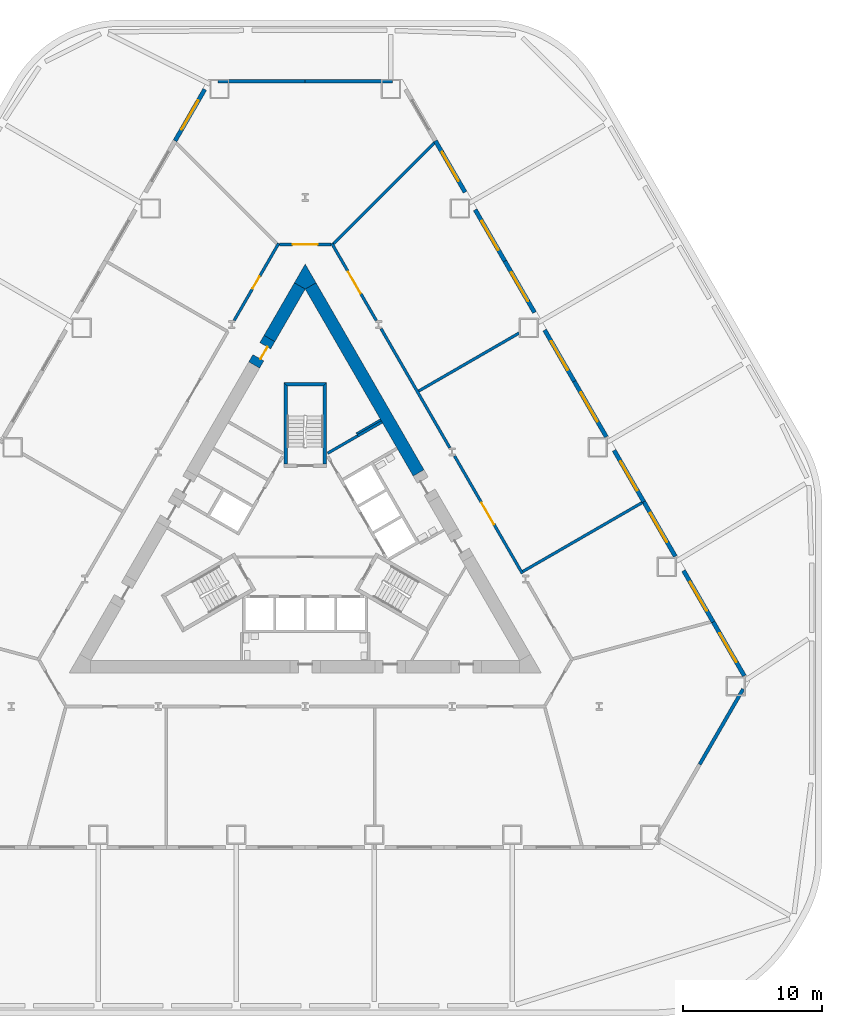
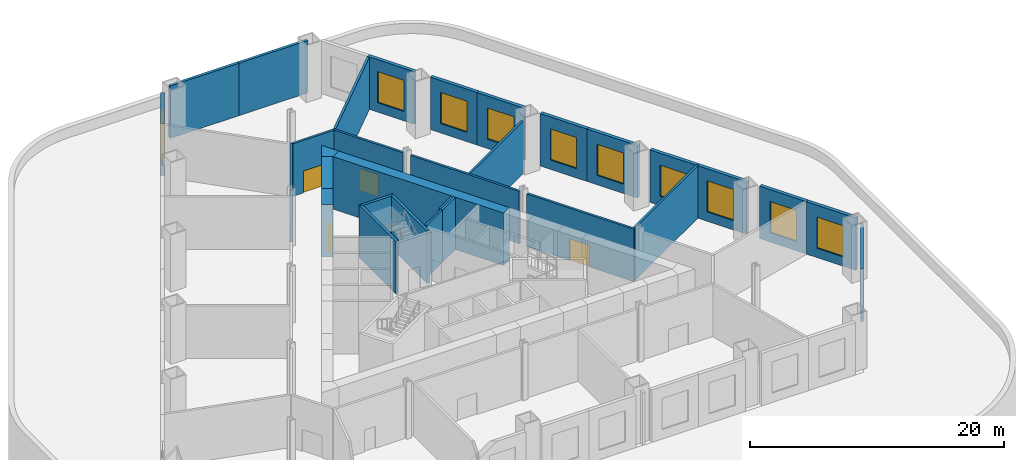
# One storey, part 6 of 10: 31 walls, 10 windows, 5 doors, 15 openings.
"""IFC4 building model written with IfcOpenShell, lengths in metres."""

from ifc_helpers import new_model, si_unit, direction, frame, frame_2d, origin, place, context, subcontext, project, spatial, polyline, rectangle, outline, extrude, material, layer, layer_set, type_object, element, fill, save


model = new_model("IFC4")

# Units and contexts
model_context = context("Model", 3, precision=1e-05, world=origin(), true_north=direction((0.0, 1.0)))
body_context = subcontext(model_context, "Body", "Model", "MODEL_VIEW")
ifc_project = project(units=[si_unit("LENGTHUNIT", "METRE"), si_unit("AREAUNIT", "SQUARE_METRE"), si_unit("VOLUMEUNIT", "CUBIC_METRE"), si_unit("PLANEANGLEUNIT", "RADIAN"), si_unit("MASSUNIT", "GRAM", prefix="KILO")], contexts=[model_context])

# Site, building, storey
site_placement = place(None, origin())
site = spatial("IfcSite", under=ifc_project, at=site_placement, CompositionType="ELEMENT")
building_placement = place(site_placement, origin())
building = spatial("IfcBuilding", under=site, at=building_placement, Name="Cormorant Prow Tower", CompositionType="ELEMENT")
storey_placement = place(building_placement, frame((0.0, 0.0, 10.0)))
storey = spatial("IfcBuildingStorey", under=building, at=storey_placement, Name="L01", CompositionType="ELEMENT", Elevation=10.0)

# Walls
ifc_material_1 = material(Name="Gypsum board partition")
ifc_layer_1 = layer(ifc_material_1, 0.14990234375)
ifc_layer_set_1 = layer_set([ifc_layer_1], Name="Gypsum board partition")
wall_type_1 = type_object("IfcWallType", Name="Core partition 150", PredefinedType="PARTITIONING", material=ifc_layer_set_1)
wall_1_placement = place(storey_placement, frame((3.693359375, 7.4150390625, 0.0), z_axis=(0.0, 0.0, 1.0), x_axis=(0.866035824272, 0.499981950752, 0.0)))
element("IfcWall", 1, at=wall_1_placement, inside=storey, type_object=wall_type_1, Name="Service room partition", PredefinedType="PARTITIONING", context=body_context, shape_type="SweptSolid", body=[
    extrude(rectangle(XDim=2.0087890625, YDim=0.14990234375, at=frame_2d((1.00439453125, 0.0))), origin(), (0.0, 0.0, 1.0), 5.050048828125),
])
ifc_material_2 = material(Name="Concrete 8000 psi", Category="concrete")
ifc_layer_2 = layer(ifc_material_2, 0.89990234375)
ifc_layer_set_2 = layer_set([ifc_layer_2], Name="Concrete 8000 psi")
wall_type_2 = type_object("IfcWallType", Name="Core shear wall 900", PredefinedType="SHEAR", material=ifc_layer_set_2)
wall_2_placement = place(storey_placement, frame((8.160400390625, 4.595947265625, 0.0), z_axis=(0.0, 0.0, 1.0), x_axis=(-0.500009830349, 0.866019728156, 0.0)))
element("IfcWall", 2, at=wall_2_placement, inside=storey, type_object=wall_type_2, Name="Core wall", PredefinedType="SHEAR", context=body_context, shape_type="SweptSolid", body=[
    extrude(rectangle(XDim=15.541259765625, YDim=0.89990234375, at=frame_2d((7.7705078125, 0.0))), origin(), (0.0, 0.0, 1.0), 5.050048828125),
])
wall_3_placement = place(storey_placement, frame((-0.3896484375, 18.054931640625, 0.0), z_axis=(0.0, 0.0, 1.0), x_axis=(-0.500014193307, -0.86601720912, 0.0)))
element("IfcWall", 3, at=wall_3_placement, inside=storey, type_object=wall_type_2, Name="Core wall", PredefinedType="SHEAR", context=body_context, shape_type="SweptSolid", body=[
    extrude(rectangle(XDim=4.370361328125, YDim=0.89990234375, at=frame_2d((2.18505859375, 0.0))), origin(), (0.0, 0.0, 1.0), 5.050048828125),
])
wall_4_placement = place(storey_placement, origin())
element("IfcWall", 4, at=wall_4_placement, inside=storey, type_object=wall_type_2, Name="Core wall corner", PredefinedType="SHEAR", context=body_context, shape_type="SweptSolid", body=[
    extrude(outline(polyline([(-0.779296875, 18.27978515625), (0.0, 19.6298828125), (0.779296875, 18.27978515625), (0.0, 17.829833984375), (-0.779296875, 18.27978515625)])), origin(), (0.0, 0.0, 1.0), 5.050048828125),
])

# Wall, opening, door
wall_5_placement = place(storey_placement, frame((-2.574951171875, 14.27001953125, 0.0), z_axis=(0.0, 0.0, 1.0), x_axis=(-0.499981787252, -0.866035918664, 0.0)))
wall_5 = element("IfcWall", 5, at=wall_5_placement, inside=storey, type_object=wall_type_2, Name="Core wall door panel", PredefinedType="SHEAR", context=body_context, shape_type="SweptSolid", body=[
    extrude(rectangle(XDim=2.2001953125, YDim=0.89990234375, at=frame_2d((1.10009765625, 0.0))), origin(), (0.0, 0.0, 1.0), 5.050048828125),
])
opening_1_placement = place(wall_5_placement, frame((0.60009765625, 0.0, 0.0)))
opening_1 = element("IfcOpeningElement", 6, at=opening_1_placement, cuts=wall_5, Name="Opening L01-C20", PredefinedType="OPENING", context=body_context, shape_type="SweptSolid", body=[
    extrude(rectangle(XDim=1.0, YDim=2.10009765625, at=frame_2d((0.5, 1.050048828125))), frame((0.0, 0.4599609375, 0.0), z_axis=(0.0, -1.0, 0.0), x_axis=(1.0, 0.0, 0.0)), (0.0, 0.0, 1.0), 0.919921875),
])
ifc_material_3 = material(Name="Painted steel", Category="steel")
door_type_1 = type_object("IfcDoorType", Name="Service door 1000x2100", OperationType="NOTDEFINED", PredefinedType="DOOR", material=ifc_material_3)
door_1_placement = place(opening_1_placement, origin())
door_1 = element("IfcDoor", 7, at=door_1_placement, inside=storey, type_object=door_type_1, Name="Core door, Telecom room", OperationType="SINGLE_SWING_LEFT", OverallHeight=2.10009765625, OverallWidth=1.0, PredefinedType="DOOR", context=body_context, shape_type="SweptSolid", body=[
    extrude(rectangle(XDim=1.0, YDim=2.10009765625, at=frame_2d((0.5, 1.050048828125))), frame((0.0, 0.205078125, 0.0), z_axis=(0.0, -1.0, 0.0), x_axis=(1.0, 0.0, 0.0)), (0.0, 0.0, 1.0), 0.050048828125),
])
fill(opening_1, door_1)

# Wall
ifc_material_4 = material(Name="Gypsum board corridor wall")
ifc_layer_3 = layer(ifc_material_4, 0.199951171875)
ifc_layer_set_3 = layer_set([ifc_layer_3], Name="Gypsum board corridor wall")
wall_type_3 = type_object("IfcWallType", Name="Corridor wall 200", PredefinedType="PARTITIONING", material=ifc_layer_set_3)
wall_6_placement = place(storey_placement, frame((5.45947265625, 14.973876953125, 0.0), z_axis=(0.0, 0.0, 1.0), x_axis=(0.499985793049, -0.866033606016, 0.0)))
element("IfcWall", 8, at=wall_6_placement, inside=storey, type_object=wall_type_3, Name="Corridor wall", PredefinedType="PARTITIONING", context=body_context, shape_type="SweptSolid", body=[
    extrude(rectangle(XDim=9.897705078125, YDim=0.199951171875, at=frame_2d((4.94873046875, 0.0))), origin(), (0.0, 0.0, 1.0), 5.050048828125),
])

# Wall, opening, door
wall_7_placement = place(storey_placement, frame((10.74853515625, 5.812744140625, 0.0), z_axis=(0.0, 0.0, 1.0), x_axis=(0.500017363087, -0.866015378969, 0.0)))
wall_7 = element("IfcWall", 9, at=wall_7_placement, inside=storey, type_object=wall_type_3, Name="Corridor wall", PredefinedType="PARTITIONING", context=body_context, shape_type="SweptSolid", body=[
    extrude(rectangle(XDim=9.769775390625, YDim=0.199951171875, at=frame_2d((4.884765625, 0.0))), origin(), (0.0, 0.0, 1.0), 5.050048828125),
])
opening_2_placement = place(wall_7_placement, frame((3.8837890625, 0.0, 0.0)))
opening_2 = element("IfcOpeningElement", 10, at=opening_2_placement, cuts=wall_7, Name="Opening L01-F06", PredefinedType="OPENING", context=body_context, shape_type="SweptSolid", body=[
    extrude(rectangle(XDim=1.800048828125, YDim=2.10009765625, at=frame_2d((0.89990234375, 1.050048828125))), frame((0.0, 0.10986328125, 0.0), z_axis=(0.0, -1.0, 0.0), x_axis=(1.0, 0.0, 0.0)), (0.0, 0.0, 1.0), 0.219970703125),
])
ifc_material_5 = material(Name="Timber door leaf", Category="wood")
door_type_2 = type_object("IfcDoorType", Name="Double door 1800x2100", OperationType="DOUBLE_DOOR_SINGLE_SWING", PredefinedType="DOOR", material=ifc_material_5)
door_2_placement = place(opening_2_placement, origin())
door_2 = element("IfcDoor", 11, at=door_2_placement, inside=storey, type_object=door_type_2, Name="Pharmacy door", OperationType="DOUBLE_DOOR_SINGLE_SWING", OverallHeight=2.10009765625, OverallWidth=1.800048828125, PredefinedType="DOOR", context=body_context, shape_type="SweptSolid", body=[
    extrude(rectangle(XDim=1.800048828125, YDim=2.10009765625, at=frame_2d((0.89990234375, 1.050048828125))), frame((0.0, 0.02490234375, 0.0), z_axis=(0.0, -1.0, 0.0), x_axis=(1.0, 0.0, 0.0)), (0.0, 0.0, 1.0), 0.050048828125),
])
fill(opening_2, door_2)

wall_8_placement = place(storey_placement, frame((1.9130859375, 21.116455078125, 0.0), z_axis=(0.0, 0.0, 1.0), x_axis=(0.500004801114, -0.866022631842, 0.0)))
wall_8 = element("IfcWall", 12, at=wall_8_placement, inside=storey, type_object=wall_type_3, Name="Corridor wall", PredefinedType="PARTITIONING", context=body_context, shape_type="SweptSolid", body=[
    extrude(rectangle(XDim=6.412109375, YDim=0.199951171875, at=frame_2d((3.2060546875, 0.0))), origin(), (0.0, 0.0, 1.0), 5.050048828125),
])
opening_3_placement = place(wall_8_placement, frame((2.356201171875, 0.0, 0.0)))
opening_3 = element("IfcOpeningElement", 13, at=opening_3_placement, cuts=wall_8, Name="Opening L01-F01", PredefinedType="OPENING", context=body_context, shape_type="SweptSolid", body=[
    extrude(rectangle(XDim=1.800048828125, YDim=2.10009765625, at=frame_2d((0.89990234375, 1.050048828125))), frame((0.0, 0.10986328125, 0.0), z_axis=(0.0, -1.0, 0.0), x_axis=(1.0, 0.0, 0.0)), (0.0, 0.0, 1.0), 0.219970703125),
])
door_3_placement = place(opening_3_placement, origin())
door_3 = element("IfcDoor", 14, at=door_3_placement, inside=storey, type_object=door_type_2, Name="Retail unit door", OperationType="DOUBLE_DOOR_SINGLE_SWING", OverallHeight=2.10009765625, OverallWidth=1.800048828125, PredefinedType="DOOR", context=body_context, shape_type="SweptSolid", body=[
    extrude(rectangle(XDim=1.800048828125, YDim=2.10009765625, at=frame_2d((0.89990234375, 1.050048828125))), frame((0.0, 0.02490234375, 0.0), z_axis=(0.0, -1.0, 0.0), x_axis=(1.0, 0.0, 0.0)), (0.0, 0.0, 1.0), 0.050048828125),
])
fill(opening_3, door_3)

wall_9_placement = place(storey_placement, frame((-5.119140625, 15.5634765625, 0.0), z_axis=(0.0, 0.0, 1.0), x_axis=(0.500004801114, 0.866022631842, 0.0)))
wall_9 = element("IfcWall", 15, at=wall_9_placement, inside=storey, type_object=wall_type_3, Name="Corridor wall", PredefinedType="PARTITIONING", context=body_context, shape_type="SweptSolid", body=[
    extrude(rectangle(XDim=6.412109375, YDim=0.199951171875, at=frame_2d((3.2060546875, 0.0))), origin(), (0.0, 0.0, 1.0), 5.050048828125),
])
opening_4_placement = place(wall_9_placement, frame((2.656005859375, 0.0, 0.0)))
opening_4 = element("IfcOpeningElement", 16, at=opening_4_placement, cuts=wall_9, Name="Opening L01-F03", PredefinedType="OPENING", context=body_context, shape_type="SweptSolid", body=[
    extrude(rectangle(XDim=1.0, YDim=2.10009765625, at=frame_2d((0.5, 1.050048828125))), frame((0.0, 0.10986328125, 0.0), z_axis=(0.0, -1.0, 0.0), x_axis=(1.0, 0.0, 0.0)), (0.0, 0.0, 1.0), 0.219970703125),
])
ifc_material_6 = material(Name="Timber door leaf", Category="wood")
door_type_3 = type_object("IfcDoorType", Name="Flat or room entrance door 1000x2100", OperationType="NOTDEFINED", PredefinedType="DOOR", material=ifc_material_6)
door_4_placement = place(opening_4_placement, origin())
door_4 = element("IfcDoor", 17, at=door_4_placement, inside=storey, type_object=door_type_3, Name="Tower lobby gallery door", OperationType="SINGLE_SWING_LEFT", OverallHeight=2.10009765625, OverallWidth=1.0, PredefinedType="DOOR", context=body_context, shape_type="SweptSolid", body=[
    extrude(rectangle(XDim=1.0, YDim=2.10009765625, at=frame_2d((0.5, 1.050048828125))), frame((0.0, 0.02490234375, 0.0), z_axis=(0.0, -1.0, 0.0), x_axis=(1.0, 0.0, 0.0)), (0.0, 0.0, 1.0), 0.050048828125),
])
fill(opening_4, door_4)

wall_10_placement = place(storey_placement, frame((-1.863037109375, 21.02978515625, 0.0), z_axis=(0.0, 0.0, 1.0), x_axis=(1.0, 0.0, 0.0)))
wall_10 = element("IfcWall", 18, at=wall_10_placement, inside=storey, type_object=wall_type_3, Name="Corridor wall", PredefinedType="PARTITIONING", context=body_context, shape_type="SweptSolid", body=[
    extrude(rectangle(XDim=3.72607421875, YDim=0.199951171875, at=frame_2d((1.863037109375, 0.0))), origin(), (0.0, 0.0, 1.0), 5.050048828125),
])
opening_5_placement = place(wall_10_placement, frame((0.962890625, 0.0, 0.0)))
opening_5 = element("IfcOpeningElement", 19, at=opening_5_placement, cuts=wall_10, Name="Opening L01-F09", PredefinedType="OPENING", context=body_context, shape_type="SweptSolid", body=[
    extrude(rectangle(XDim=1.800048828125, YDim=2.10009765625, at=frame_2d((0.89990234375, 1.050048828125))), frame((0.0, 0.10986328125, 0.0), z_axis=(0.0, -1.0, 0.0), x_axis=(1.0, 0.0, 0.0)), (0.0, 0.0, 1.0), 0.219970703125),
])
door_5_placement = place(opening_5_placement, origin())
door_5 = element("IfcDoor", 20, at=door_5_placement, inside=storey, type_object=door_type_2, Name="Bank branch door", OperationType="DOUBLE_DOOR_SINGLE_SWING", OverallHeight=2.10009765625, OverallWidth=1.800048828125, PredefinedType="DOOR", context=body_context, shape_type="SweptSolid", body=[
    extrude(rectangle(XDim=1.800048828125, YDim=2.10009765625, at=frame_2d((0.89990234375, 1.050048828125))), frame((0.0, 0.02490234375, 0.0), z_axis=(0.0, -1.0, 0.0), x_axis=(1.0, 0.0, 0.0)), (0.0, 0.0, 1.0), 0.050048828125),
])
fill(opening_5, door_5)

# Walls
ifc_material_7 = material(Name="Gypsum board demising wall")
ifc_layer_4 = layer(ifc_material_7, 0.199951171875)
ifc_layer_set_4 = layer_set([ifc_layer_4], Name="Gypsum board demising wall")
wall_type_4 = type_object("IfcWallType", Name="Demising wall 200", PredefinedType="PARTITIONING", material=ifc_layer_set_4)
wall_11_placement = place(storey_placement, frame((2.03369140625, 21.1005859375, 0.0), z_axis=(0.0, 0.0, 1.0), x_axis=(0.707402604593, 0.706810833968, 0.0)))
element("IfcWall", 21, at=wall_11_placement, inside=storey, type_object=wall_type_4, Name="Demising wall", PredefinedType="PARTITIONING", context=body_context, shape_type="SweptSolid", body=[
    extrude(rectangle(XDim=10.31396484375, YDim=0.199951171875, at=frame_2d((5.156982421875, 0.0))), origin(), (0.0, 0.0, 1.0), 5.050048828125),
])
wall_12_placement = place(storey_placement, frame((15.6650390625, -2.502685546875, 0.0), z_axis=(0.0, 0.0, 1.0), x_axis=(0.866034070548, 0.499984988425, 0.0)))
element("IfcWall", 22, at=wall_12_placement, inside=storey, type_object=wall_type_4, Name="Demising wall", PredefinedType="PARTITIONING", context=body_context, shape_type="SweptSolid", body=[
    extrude(rectangle(XDim=9.981689453125, YDim=0.199951171875, at=frame_2d((4.99072265625, 0.0))), origin(), (0.0, 0.0, 1.0), 5.050048828125),
])
wall_13_placement = place(storey_placement, frame((8.1650390625, 10.487548828125, 0.0), z_axis=(0.0, 0.0, 1.0), x_axis=(0.866027244746, 0.499996811348, 0.0)))
element("IfcWall", 23, at=wall_13_placement, inside=storey, type_object=wall_type_4, Name="Demising wall", PredefinedType="PARTITIONING", context=body_context, shape_type="SweptSolid", body=[
    extrude(rectangle(XDim=8.3447265625, YDim=0.199951171875, at=frame_2d((4.17236328125, 0.0))), origin(), (0.0, 0.0, 1.0), 5.050048828125),
])
ifc_material_8 = material(Name="Concrete 8000 psi", Category="concrete")
ifc_layer_5 = layer(ifc_material_8, 0.199951171875)
ifc_layer_set_5 = layer_set([ifc_layer_5], Name="Concrete 8000 psi")
wall_type_5 = type_object("IfcWallType", Name="Lift shaft wall 200", PredefinedType="SHEAR", material=ifc_layer_set_5)
wall_14_placement = place(storey_placement, origin())
element("IfcWall", 24, at=wall_14_placement, inside=storey, type_object=wall_type_5, Name="Lift shaft walls, ENE block", PredefinedType="SHEAR", context=body_context, shape_type="SweptSolid", body=[
    extrude(outline(polyline([(1.560546875, 6.09716796875), (3.730712890625, 7.35009765625), (3.830810546875, 7.177001953125), (1.660400390625, 5.923828125), (1.560546875, 6.09716796875)])), origin(), (0.0, 0.0, 1.0), 5.050048828125),
])
wall_15_placement = place(storey_placement, frame((3.78076171875, 7.263427734375, 0.0), z_axis=(0.0, 0.0, 1.0), x_axis=(0.865983199114, 0.50007309351, 0.0)))
element("IfcWall", 25, at=wall_15_placement, inside=storey, type_object=wall_type_5, Name="Store side wall", PredefinedType="SHEAR", context=body_context, shape_type="SweptSolid", body=[
    extrude(rectangle(XDim=2.009033203125, YDim=0.199951171875, at=frame_2d((1.00439453125, 0.0))), origin(), (0.0, 0.0, 1.0), 5.050048828125),
])
ifc_material_9 = material(Name="Concrete 8000 psi", Category="concrete")
ifc_layer_6 = layer(ifc_material_9, 0.25)
ifc_layer_set_6 = layer_set([ifc_layer_6], Name="Concrete 8000 psi")
wall_type_6 = type_object("IfcWallType", Name="Stair wall 250", PredefinedType="SHEAR", material=ifc_layer_set_6)
wall_16_placement = place(storey_placement, origin())
element("IfcWall", 26, at=wall_16_placement, inside=storey, type_object=wall_type_6, Name="Stair ST3 enclosure wall (flank)", PredefinedType="SHEAR", context=body_context, shape_type="SweptSolid", body=[
    extrude(outline(polyline([(1.5439453125, 5.23681640625), (1.5439453125, 11.0869140625), (1.2939453125, 10.8369140625), (1.2939453125, 5.23681640625), (1.5439453125, 5.23681640625)])), origin(), (0.0, 0.0, 1.0), 5.050048828125),
])
wall_17_placement = place(storey_placement, origin())
element("IfcWall", 27, at=wall_17_placement, inside=storey, type_object=wall_type_6, Name="Stair ST3 enclosure wall (end)", PredefinedType="SHEAR", context=body_context, shape_type="SweptSolid", body=[
    extrude(outline(polyline([(1.5439453125, 11.0869140625), (-1.5439453125, 11.0869140625), (-1.2939453125, 10.8369140625), (1.2939453125, 10.8369140625), (1.5439453125, 11.0869140625)])), origin(), (0.0, 0.0, 1.0), 5.050048828125),
])
wall_18_placement = place(storey_placement, origin())
element("IfcWall", 28, at=wall_18_placement, inside=storey, type_object=wall_type_6, Name="Stair ST3 enclosure wall (flank)", PredefinedType="SHEAR", context=body_context, shape_type="SweptSolid", body=[
    extrude(outline(polyline([(-1.2939453125, 10.8369140625), (-1.5439453125, 11.0869140625), (-1.5439453125, 5.23681640625), (-1.2939453125, 5.23681640625), (-1.2939453125, 10.8369140625)])), origin(), (0.0, 0.0, 1.0), 5.050048828125),
])
ifc_material_10 = material(Name="Terracotta", Category="masonry")
ifc_layer_7 = layer(ifc_material_10, 0.25)
ifc_layer_set_7 = layer_set([ifc_layer_7], Name="Terracotta")
wall_type_7 = type_object("IfcWallType", Name="Terracotta bay wall 250", PredefinedType="SOLIDWALL", material=ifc_layer_set_7)
wall_19_placement = place(storey_placement, frame((28.391845703125, -16.39208984375, 0.0), z_axis=(0.0, 0.0, 1.0), x_axis=(0.499987597971, 0.866032563981, 0.0)))
element("IfcWall", 29, at=wall_19_placement, inside=storey, type_object=wall_type_7, Name="Terracotta bay wall ESE01", PredefinedType="SOLIDWALL", context=body_context, shape_type="SweptSolid", body=[
    extrude(rectangle(XDim=6.270263671875, YDim=0.25, at=frame_2d((3.13525390625, 0.0))), origin(), (0.0, 0.0, 1.0), 5.050048828125),
])
for number, where, z_axis, x_axis, name in (
    (30, (6.27001953125, 32.783935546875, 0.0), (0.0, 0.0, 1.0), (-1.0, 0.0, 0.0), "Terracotta bay wall N00"),
    (31, (0.0, 32.783935546875, 0.0), (0.0, 0.0, 1.0), (-1.0, 0.0, 0.0), "Terracotta bay wall N01"),
):
    element("IfcWall", number, at=place(storey_placement, frame(where, z_axis=z_axis, x_axis=x_axis)), inside=storey, type_object=wall_type_7, Name=name, PredefinedType="SOLIDWALL", context=body_context, shape_type="SweptSolid", body=[
        extrude(rectangle(XDim=6.27001953125, YDim=0.25, at=frame_2d((3.135009765625, 0.0))), origin(), (0.0, 0.0, 1.0), 5.050048828125),
    ])

# Wall, opening, window
ifc_material_11 = material(Name="Terracotta", Category="masonry")
ifc_layer_8 = layer(ifc_material_11, 0.300048828125)
ifc_layer_set_8 = layer_set([ifc_layer_8], Name="Terracotta")
wall_type_8 = type_object("IfcWallType", Name="Terracotta podium cladding wall 300", PredefinedType="SOLIDWALL", material=ifc_layer_set_8)
wall_20_placement = place(storey_placement, frame((31.608154296875, -10.013671875, 0.0), z_axis=(0.0, 0.0, 1.0), x_axis=(-0.49999314502, 0.866029361473, 0.0)))
wall_20 = element("IfcWall", 32, at=wall_20_placement, inside=storey, type_object=wall_type_8, Name="Terracotta podium wall ENE00", PredefinedType="SOLIDWALL", context=body_context, shape_type="SweptSolid", body=[
    extrude(rectangle(XDim=4.47607421875, YDim=0.300048828125, at=frame_2d((2.238037109375, 0.0))), origin(), (0.0, 0.0, 1.0), 5.050048828125),
])
opening_6_placement = place(wall_20_placement, frame((1.141357421875, 0.0, 0.89990234375)))
opening_6 = element("IfcOpeningElement", 33, at=opening_6_placement, cuts=wall_20, Name="Opening WN21", PredefinedType="OPENING", context=body_context, shape_type="SweptSolid", body=[
    extrude(rectangle(XDim=2.39990234375, YDim=3.0, at=frame_2d((1.199951171875, 1.5))), frame((0.0, 0.159912109375, 0.0), z_axis=(0.0, -1.0, 0.0), x_axis=(1.0, 0.0, 0.0)), (0.0, 0.0, 1.0), 0.320068359375),
])
ifc_material_12 = material(Name="Aluminium 6063-T6", Category="aluminium")
window_type = type_object("IfcWindowType", Name="Podium window 2400x3000", PartitioningType="SINGLE_PANEL", PredefinedType="WINDOW", material=ifc_material_12)
window_1_placement = place(opening_6_placement, origin())
window_1 = element("IfcWindow", 34, at=window_1_placement, inside=storey, type_object=window_type, Name="Podium window ENE00", OverallHeight=3.0, OverallWidth=2.39990234375, PartitioningType="SINGLE_PANEL", PredefinedType="WINDOW", context=body_context, shape_type="SweptSolid", body=[
    extrude(rectangle(XDim=2.39990234375, YDim=3.0, at=frame_2d((1.199951171875, 1.5))), frame((0.0, 0.030029296875, 0.0), z_axis=(0.0, -1.0, 0.0), x_axis=(1.0, 0.0, 0.0)), (0.0, 0.0, 1.0), 0.06005859375),
])
fill(opening_6, window_1)

wall_21_placement = place(storey_placement, frame((29.3701171875, -6.13720703125, 0.0), z_axis=(0.0, 0.0, 1.0), x_axis=(-0.499994660107, 0.866028486751, 0.0)))
wall_21 = element("IfcWall", 35, at=wall_21_placement, inside=storey, type_object=wall_type_8, Name="Terracotta podium wall ENE01", PredefinedType="SOLIDWALL", context=body_context, shape_type="SweptSolid", body=[
    extrude(rectangle(XDim=4.27001953125, YDim=0.300048828125, at=frame_2d((2.135009765625, 0.0))), origin(), (0.0, 0.0, 1.0), 5.050048828125),
])
opening_7_placement = place(wall_21_placement, frame((0.93505859375, 0.0, 0.89990234375)))
opening_7 = element("IfcOpeningElement", 36, at=opening_7_placement, cuts=wall_21, Name="Opening WN21", PredefinedType="OPENING", context=body_context, shape_type="SweptSolid", body=[
    extrude(rectangle(XDim=2.39990234375, YDim=3.0, at=frame_2d((1.199951171875, 1.5))), frame((0.0, 0.159912109375, 0.0), z_axis=(0.0, -1.0, 0.0), x_axis=(1.0, 0.0, 0.0)), (0.0, 0.0, 1.0), 0.320068359375),
])
window_2_placement = place(opening_7_placement, origin())
window_2 = element("IfcWindow", 37, at=window_2_placement, inside=storey, type_object=window_type, Name="Podium window ENE01", OverallHeight=3.0, OverallWidth=2.39990234375, PartitioningType="SINGLE_PANEL", PredefinedType="WINDOW", context=body_context, shape_type="SweptSolid", body=[
    extrude(rectangle(XDim=2.39990234375, YDim=3.0, at=frame_2d((1.199951171875, 1.5))), frame((0.0, 0.030029296875, 0.0), z_axis=(0.0, -1.0, 0.0), x_axis=(1.0, 0.0, 0.0)), (0.0, 0.0, 1.0), 0.06005859375),
])
fill(opening_7, window_2)

wall_22_placement = place(storey_placement, frame((26.64208984375, -1.412353515625, 0.0), z_axis=(0.0, 0.0, 1.0), x_axis=(-0.499964285679, 0.866046022475, 0.0)))
wall_22 = element("IfcWall", 38, at=wall_22_placement, inside=storey, type_object=wall_type_8, Name="Terracotta podium wall ENE02", PredefinedType="SOLIDWALL", context=body_context, shape_type="SweptSolid", body=[
    extrude(rectangle(XDim=4.544189453125, YDim=0.300048828125, at=frame_2d((2.27197265625, 0.0))), origin(), (0.0, 0.0, 1.0), 5.050048828125),
])
opening_8_placement = place(wall_22_placement, frame((1.209228515625, 0.0, 0.89990234375)))
opening_8 = element("IfcOpeningElement", 39, at=opening_8_placement, cuts=wall_22, Name="Opening WN21", PredefinedType="OPENING", context=body_context, shape_type="SweptSolid", body=[
    extrude(rectangle(XDim=2.39990234375, YDim=3.0, at=frame_2d((1.199951171875, 1.5))), frame((0.0, 0.159912109375, 0.0), z_axis=(0.0, -1.0, 0.0), x_axis=(1.0, 0.0, 0.0)), (0.0, 0.0, 1.0), 0.320068359375),
])
window_3_placement = place(opening_8_placement, origin())
window_3 = element("IfcWindow", 40, at=window_3_placement, inside=storey, type_object=window_type, Name="Podium window ENE02", OverallHeight=3.0, OverallWidth=2.39990234375, PartitioningType="SINGLE_PANEL", PredefinedType="WINDOW", context=body_context, shape_type="SweptSolid", body=[
    extrude(rectangle(XDim=2.39990234375, YDim=3.0, at=frame_2d((1.199951171875, 1.5))), frame((0.0, 0.030029296875, 0.0), z_axis=(0.0, -1.0, 0.0), x_axis=(1.0, 0.0, 0.0)), (0.0, 0.0, 1.0), 0.06005859375),
])
fill(opening_8, window_3)

wall_23_placement = place(storey_placement, frame((24.3701171875, 2.523193359375, 0.0), z_axis=(0.0, 0.0, 1.0), x_axis=(-0.500019418418, 0.866014192265, 0.0)))
wall_23 = element("IfcWall", 41, at=wall_23_placement, inside=storey, type_object=wall_type_8, Name="Terracotta podium wall ENE03", PredefinedType="SOLIDWALL", context=body_context, shape_type="SweptSolid", body=[
    extrude(rectangle(XDim=4.269775390625, YDim=0.300048828125, at=frame_2d((2.134765625, 0.0))), origin(), (0.0, 0.0, 1.0), 5.050048828125),
])
opening_9_placement = place(wall_23_placement, frame((0.93505859375, 0.0, 0.89990234375)))
opening_9 = element("IfcOpeningElement", 42, at=opening_9_placement, cuts=wall_23, Name="Opening WN21", PredefinedType="OPENING", context=body_context, shape_type="SweptSolid", body=[
    extrude(rectangle(XDim=2.39990234375, YDim=3.0, at=frame_2d((1.199951171875, 1.5))), frame((0.0, 0.159912109375, 0.0), z_axis=(0.0, -1.0, 0.0), x_axis=(1.0, 0.0, 0.0)), (0.0, 0.0, 1.0), 0.320068359375),
])
window_4_placement = place(opening_9_placement, origin())
window_4 = element("IfcWindow", 43, at=window_4_placement, inside=storey, type_object=window_type, Name="Podium window ENE03", OverallHeight=3.0, OverallWidth=2.39990234375, PartitioningType="SINGLE_PANEL", PredefinedType="WINDOW", context=body_context, shape_type="SweptSolid", body=[
    extrude(rectangle(XDim=2.39990234375, YDim=3.0, at=frame_2d((1.199951171875, 1.5))), frame((0.0, 0.030029296875, 0.0), z_axis=(0.0, -1.0, 0.0), x_axis=(1.0, 0.0, 0.0)), (0.0, 0.0, 1.0), 0.06005859375),
])
fill(opening_9, window_4)

wall_24_placement = place(storey_placement, frame((21.676025390625, 7.189208984375, 0.0), z_axis=(0.0, 0.0, 1.0), x_axis=(-0.499982117899, 0.866035727774, 0.0)))
wall_24 = element("IfcWall", 44, at=wall_24_placement, inside=storey, type_object=wall_type_8, Name="Terracotta podium wall ENE04", PredefinedType="SOLIDWALL", context=body_context, shape_type="SweptSolid", body=[
    extrude(rectangle(XDim=4.612060546875, YDim=0.300048828125, at=frame_2d((2.30615234375, 0.0))), origin(), (0.0, 0.0, 1.0), 5.050048828125),
])
opening_10_placement = place(wall_24_placement, frame((1.277099609375, 0.0, 0.89990234375)))
opening_10 = element("IfcOpeningElement", 45, at=opening_10_placement, cuts=wall_24, Name="Opening WN21", PredefinedType="OPENING", context=body_context, shape_type="SweptSolid", body=[
    extrude(rectangle(XDim=2.39990234375, YDim=3.0, at=frame_2d((1.199951171875, 1.5))), frame((0.0, 0.159912109375, 0.0), z_axis=(0.0, -1.0, 0.0), x_axis=(1.0, 0.0, 0.0)), (0.0, 0.0, 1.0), 0.320068359375),
])
window_5_placement = place(opening_10_placement, origin())
window_5 = element("IfcWindow", 46, at=window_5_placement, inside=storey, type_object=window_type, Name="Podium window ENE04", OverallHeight=3.0, OverallWidth=2.39990234375, PartitioningType="SINGLE_PANEL", PredefinedType="WINDOW", context=body_context, shape_type="SweptSolid", body=[
    extrude(rectangle(XDim=2.39990234375, YDim=3.0, at=frame_2d((1.199951171875, 1.5))), frame((0.0, 0.030029296875, 0.0), z_axis=(0.0, -1.0, 0.0), x_axis=(1.0, 0.0, 0.0)), (0.0, 0.0, 1.0), 0.06005859375),
])
fill(opening_10, window_5)

wall_25_placement = place(storey_placement, frame((19.3701171875, 11.183349609375, 0.0), z_axis=(0.0, 0.0, 1.0), x_axis=(-0.499994660107, 0.866028486751, 0.0)))
wall_25 = element("IfcWall", 47, at=wall_25_placement, inside=storey, type_object=wall_type_8, Name="Terracotta podium wall ENE05", PredefinedType="SOLIDWALL", context=body_context, shape_type="SweptSolid", body=[
    extrude(rectangle(XDim=4.27001953125, YDim=0.300048828125, at=frame_2d((2.135009765625, 0.0))), origin(), (0.0, 0.0, 1.0), 5.050048828125),
])
opening_11_placement = place(wall_25_placement, frame((0.93505859375, 0.0, 0.89990234375)))
opening_11 = element("IfcOpeningElement", 48, at=opening_11_placement, cuts=wall_25, Name="Opening WN21", PredefinedType="OPENING", context=body_context, shape_type="SweptSolid", body=[
    extrude(rectangle(XDim=2.39990234375, YDim=3.0, at=frame_2d((1.199951171875, 1.5))), frame((0.0, 0.159912109375, 0.0), z_axis=(0.0, -1.0, 0.0), x_axis=(1.0, 0.0, 0.0)), (0.0, 0.0, 1.0), 0.320068359375),
])
window_6_placement = place(opening_11_placement, origin())
window_6 = element("IfcWindow", 49, at=window_6_placement, inside=storey, type_object=window_type, Name="Podium window ENE05", OverallHeight=3.0, OverallWidth=2.39990234375, PartitioningType="SINGLE_PANEL", PredefinedType="WINDOW", context=body_context, shape_type="SweptSolid", body=[
    extrude(rectangle(XDim=2.39990234375, YDim=3.0, at=frame_2d((1.199951171875, 1.5))), frame((0.0, 0.030029296875, 0.0), z_axis=(0.0, -1.0, 0.0), x_axis=(1.0, 0.0, 0.0)), (0.0, 0.0, 1.0), 0.06005859375),
])
fill(opening_11, window_6)

wall_26_placement = place(storey_placement, frame((16.505126953125, 16.145751953125, 0.0), z_axis=(0.0, 0.0, 1.0), x_axis=(-0.500019418418, 0.866014192265, 0.0)))
wall_26 = element("IfcWall", 50, at=wall_26_placement, inside=storey, type_object=wall_type_8, Name="Terracotta podium wall ENE06", PredefinedType="SOLIDWALL", context=body_context, shape_type="SweptSolid", body=[
    extrude(rectangle(XDim=4.269775390625, YDim=0.300048828125, at=frame_2d((2.134765625, 0.0))), origin(), (0.0, 0.0, 1.0), 5.050048828125),
])
opening_12_placement = place(wall_26_placement, frame((0.93505859375, 0.0, 0.89990234375)))
opening_12 = element("IfcOpeningElement", 51, at=opening_12_placement, cuts=wall_26, Name="Opening WN21", PredefinedType="OPENING", context=body_context, shape_type="SweptSolid", body=[
    extrude(rectangle(XDim=2.39990234375, YDim=3.0, at=frame_2d((1.199951171875, 1.5))), frame((0.0, 0.159912109375, 0.0), z_axis=(0.0, -1.0, 0.0), x_axis=(1.0, 0.0, 0.0)), (0.0, 0.0, 1.0), 0.320068359375),
])
window_7_placement = place(opening_12_placement, origin())
window_7 = element("IfcWindow", 52, at=window_7_placement, inside=storey, type_object=window_type, Name="Podium window ENE06", OverallHeight=3.0, OverallWidth=2.39990234375, PartitioningType="SINGLE_PANEL", PredefinedType="WINDOW", context=body_context, shape_type="SweptSolid", body=[
    extrude(rectangle(XDim=2.39990234375, YDim=3.0, at=frame_2d((1.199951171875, 1.5))), frame((0.0, 0.030029296875, 0.0), z_axis=(0.0, -1.0, 0.0), x_axis=(1.0, 0.0, 0.0)), (0.0, 0.0, 1.0), 0.06005859375),
])
fill(opening_12, window_7)

wall_27_placement = place(storey_placement, frame((14.3701171875, 19.843505859375, 0.0), z_axis=(0.0, 0.0, 1.0), x_axis=(-0.499994660107, 0.866028486751, 0.0)))
wall_27 = element("IfcWall", 53, at=wall_27_placement, inside=storey, type_object=wall_type_8, Name="Terracotta podium wall ENE07", PredefinedType="SOLIDWALL", context=body_context, shape_type="SweptSolid", body=[
    extrude(rectangle(XDim=4.27001953125, YDim=0.300048828125, at=frame_2d((2.135009765625, 0.0))), origin(), (0.0, 0.0, 1.0), 5.050048828125),
])
opening_13_placement = place(wall_27_placement, frame((0.93505859375, 0.0, 0.89990234375)))
opening_13 = element("IfcOpeningElement", 54, at=opening_13_placement, cuts=wall_27, Name="Opening WN21", PredefinedType="OPENING", context=body_context, shape_type="SweptSolid", body=[
    extrude(rectangle(XDim=2.39990234375, YDim=3.0, at=frame_2d((1.199951171875, 1.5))), frame((0.0, 0.159912109375, 0.0), z_axis=(0.0, -1.0, 0.0), x_axis=(1.0, 0.0, 0.0)), (0.0, 0.0, 1.0), 0.320068359375),
])
window_8_placement = place(opening_13_placement, origin())
window_8 = element("IfcWindow", 55, at=window_8_placement, inside=storey, type_object=window_type, Name="Podium window ENE07", OverallHeight=3.0, OverallWidth=2.39990234375, PartitioningType="SINGLE_PANEL", PredefinedType="WINDOW", context=body_context, shape_type="SweptSolid", body=[
    extrude(rectangle(XDim=2.39990234375, YDim=3.0, at=frame_2d((1.199951171875, 1.5))), frame((0.0, 0.030029296875, 0.0), z_axis=(0.0, -1.0, 0.0), x_axis=(1.0, 0.0, 0.0)), (0.0, 0.0, 1.0), 0.06005859375),
])
fill(opening_13, window_8)

wall_28_placement = place(storey_placement, frame((11.505126953125, 24.805908203125, 0.0), z_axis=(0.0, 0.0, 1.0), x_axis=(-0.499994660107, 0.866028486751, 0.0)))
wall_28 = element("IfcWall", 56, at=wall_28_placement, inside=storey, type_object=wall_type_8, Name="Terracotta podium wall ENE08", PredefinedType="SOLIDWALL", context=body_context, shape_type="SweptSolid", body=[
    extrude(rectangle(XDim=4.27001953125, YDim=0.300048828125, at=frame_2d((2.135009765625, 0.0))), origin(), (0.0, 0.0, 1.0), 5.050048828125),
])
opening_14_placement = place(wall_28_placement, frame((0.93505859375, 0.0, 0.89990234375)))
opening_14 = element("IfcOpeningElement", 57, at=opening_14_placement, cuts=wall_28, Name="Opening WN21", PredefinedType="OPENING", context=body_context, shape_type="SweptSolid", body=[
    extrude(rectangle(XDim=2.39990234375, YDim=3.0, at=frame_2d((1.199951171875, 1.5))), frame((0.0, 0.159912109375, 0.0), z_axis=(0.0, -1.0, 0.0), x_axis=(1.0, 0.0, 0.0)), (0.0, 0.0, 1.0), 0.320068359375),
])
window_9_placement = place(opening_14_placement, origin())
window_9 = element("IfcWindow", 58, at=window_9_placement, inside=storey, type_object=window_type, Name="Podium window ENE08", OverallHeight=3.0, OverallWidth=2.39990234375, PartitioningType="SINGLE_PANEL", PredefinedType="WINDOW", context=body_context, shape_type="SweptSolid", body=[
    extrude(rectangle(XDim=2.39990234375, YDim=3.0, at=frame_2d((1.199951171875, 1.5))), frame((0.0, 0.030029296875, 0.0), z_axis=(0.0, -1.0, 0.0), x_axis=(1.0, 0.0, 0.0)), (0.0, 0.0, 1.0), 0.06005859375),
])
fill(opening_14, window_9)

wall_29_placement = place(storey_placement, frame((-7.235107421875, 32.20166015625, 0.0), z_axis=(0.0, 0.0, 1.0), x_axis=(-0.500019418418, -0.866014192265, 0.0)))
wall_29 = element("IfcWall", 59, at=wall_29_placement, inside=storey, type_object=wall_type_8, Name="Terracotta podium wall WNW00", PredefinedType="SOLIDWALL", context=body_context, shape_type="SweptSolid", body=[
    extrude(rectangle(XDim=4.269775390625, YDim=0.300048828125, at=frame_2d((2.134765625, 0.0))), origin(), (0.0, 0.0, 1.0), 5.050048828125),
])
opening_15_placement = place(wall_29_placement, frame((0.93505859375, 0.0, 0.89990234375)))
opening_15 = element("IfcOpeningElement", 60, at=opening_15_placement, cuts=wall_29, Name="Opening WN21", PredefinedType="OPENING", context=body_context, shape_type="SweptSolid", body=[
    extrude(rectangle(XDim=2.39990234375, YDim=3.0, at=frame_2d((1.199951171875, 1.5))), frame((0.0, 0.159912109375, 0.0), z_axis=(0.0, -1.0, 0.0), x_axis=(1.0, 0.0, 0.0)), (0.0, 0.0, 1.0), 0.320068359375),
])
window_10_placement = place(opening_15_placement, origin())
window_10 = element("IfcWindow", 61, at=window_10_placement, inside=storey, type_object=window_type, Name="Podium window WNW00", OverallHeight=3.0, OverallWidth=2.39990234375, PartitioningType="SINGLE_PANEL", PredefinedType="WINDOW", context=body_context, shape_type="SweptSolid", body=[
    extrude(rectangle(XDim=2.39990234375, YDim=3.0, at=frame_2d((1.199951171875, 1.5))), frame((0.0, 0.030029296875, 0.0), z_axis=(0.0, -1.0, 0.0), x_axis=(1.0, 0.0, 0.0)), (0.0, 0.0, 1.0), 0.06005859375),
])
fill(opening_15, window_10)

save(model, "model.ifc")
